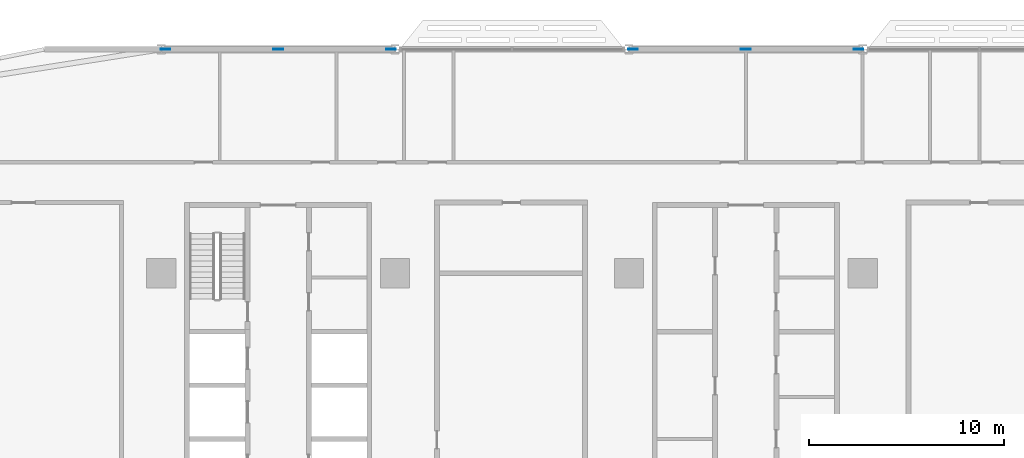
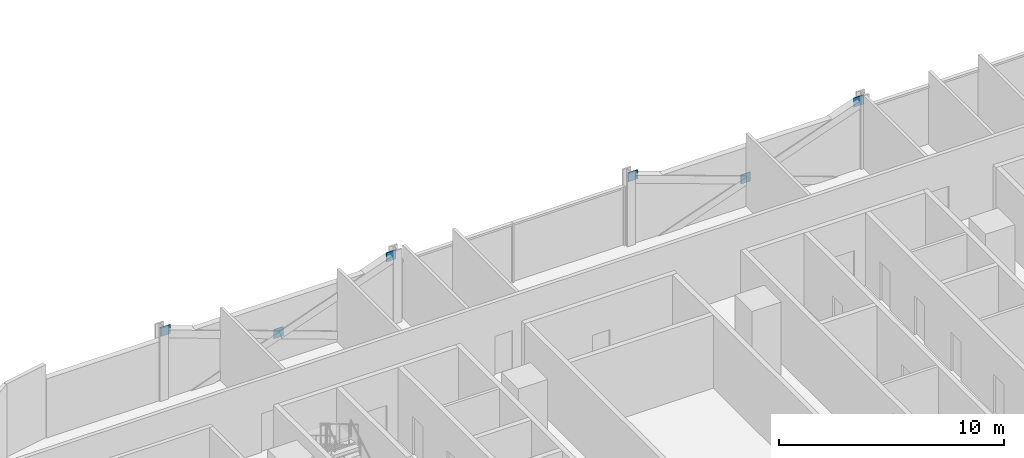
# One storey, part 21 of 29: 6 discrete accessories.
"""IFC4 building model written with IfcOpenShell, lengths in metres."""

from ifc_helpers import new_model, si_unit, direction, frame, origin, origin_2d, place, context, subcontext, project, spatial, rectangle, extrude, material, layer, layer_set, type_object, element, save


model = new_model("IFC4")

# Units and contexts
model_context = context("Model", 3, precision=1e-05, world=origin(), true_north=direction((0.0, 1.0)))
body_context = subcontext(model_context, "Body", "Model", "MODEL_VIEW")
ifc_project = project(units=[si_unit("LENGTHUNIT", "METRE"), si_unit("AREAUNIT", "SQUARE_METRE"), si_unit("VOLUMEUNIT", "CUBIC_METRE"), si_unit("PLANEANGLEUNIT", "RADIAN"), si_unit("MASSUNIT", "GRAM", prefix="KILO")], contexts=[model_context])

# Site, building, storey
site_placement = place(None, origin())
site = spatial("IfcSite", under=ifc_project, at=site_placement, CompositionType="ELEMENT")
building_placement = place(site_placement, origin())
building = spatial("IfcBuilding", under=site, at=building_placement, Name="Mahtab Terrace Research Tower", CompositionType="ELEMENT")
storey_placement = place(building_placement, frame((0.0, 0.0, 67.5)))
storey = spatial("IfcBuildingStorey", under=building, at=storey_placement, Name="L15", CompositionType="ELEMENT", Elevation=67.5)

# Discrete accessories
ifc_material = material(Name="Steel ASTM A992 Gr 50", Category="steel")
ifc_layer = layer(ifc_material, 0.030029296875)
ifc_layer_set = layer_set([ifc_layer], Name="Gusset plate 500x500x30")
discrete_accessory_type = type_object("IfcDiscreteAccessoryType", Name="Gusset plate 500x500x30", PredefinedType="USERDEFINED", material=ifc_layer_set)
for number, where, z_axis, x_axis, name in (
    (1, (-29.787841796875, 23.0, 3.33154296875), (0.0, 0.0, 1.0), (1.0, 0.0, 0.0), "Gusset plate"),
    (2, (-24.0, 23.0, 1.181396484375), (0.0, 0.0, 1.0), (1.0, 0.0, 0.0), "Gusset plate"),
    (3, (-18.212158203125, 23.0, 3.33154296875), (0.0, 0.0, 1.0), (1.0, 0.0, 0.0), "Gusset plate"),
    (4, (-5.787841796875, 23.0, 3.33154296875), (0.0, 0.0, 1.0), (1.0, 0.0, 0.0), "Gusset plate"),
    (5, (0.0, 23.0, 1.181396484375), (0.0, 0.0, 1.0), (1.0, 0.0, 0.0), "Gusset plate"),
    (6, (5.787841796875, 23.0, 3.33154296875), (0.0, 0.0, 1.0), (1.0, 0.0, 0.0), "Gusset plate"),
):
    element("IfcDiscreteAccessory", number, at=place(storey_placement, frame(where, z_axis=z_axis, x_axis=x_axis)), inside=storey, type_object=discrete_accessory_type, Name=name, ObjectType="GUSSET PLATE", PredefinedType="USERDEFINED", context=body_context, shape_type="SweptSolid", body=[
        extrude(rectangle(XDim=0.5, YDim=0.030029296875, at=origin_2d()), origin(), (0.0, 0.0, 1.0), 0.5),
    ])

save(model, "model.ifc")
